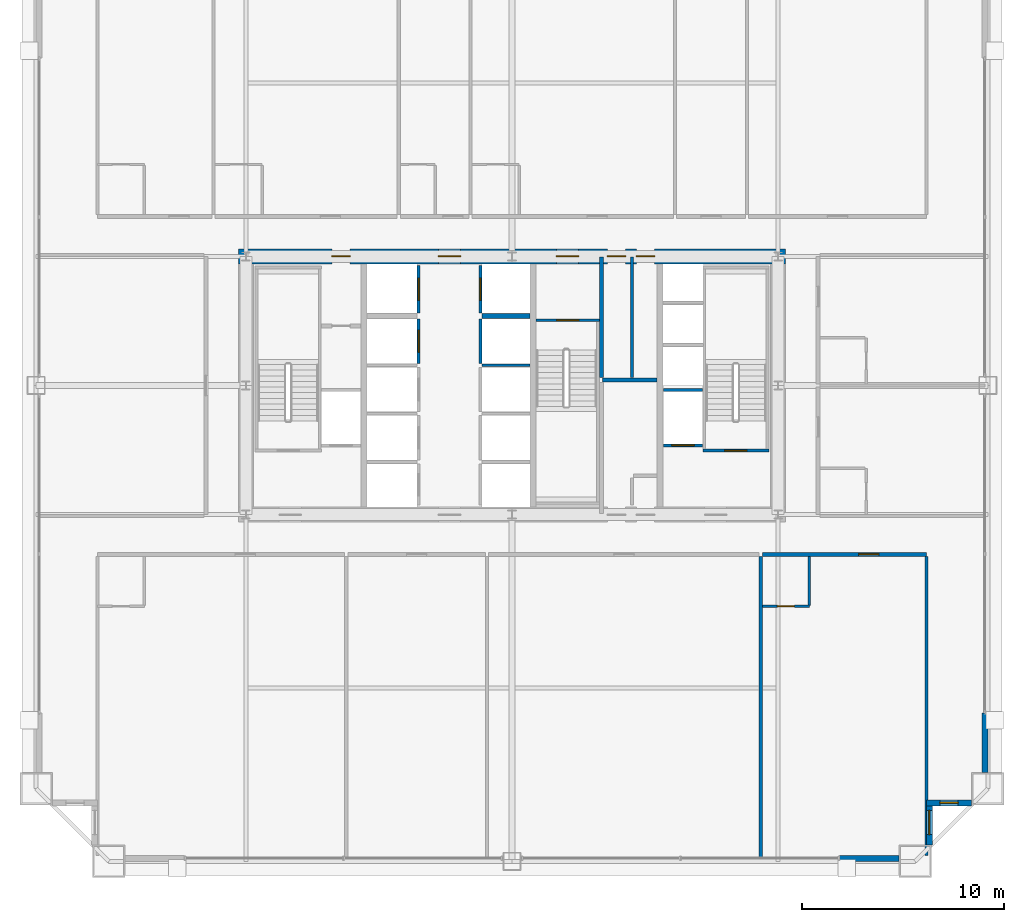
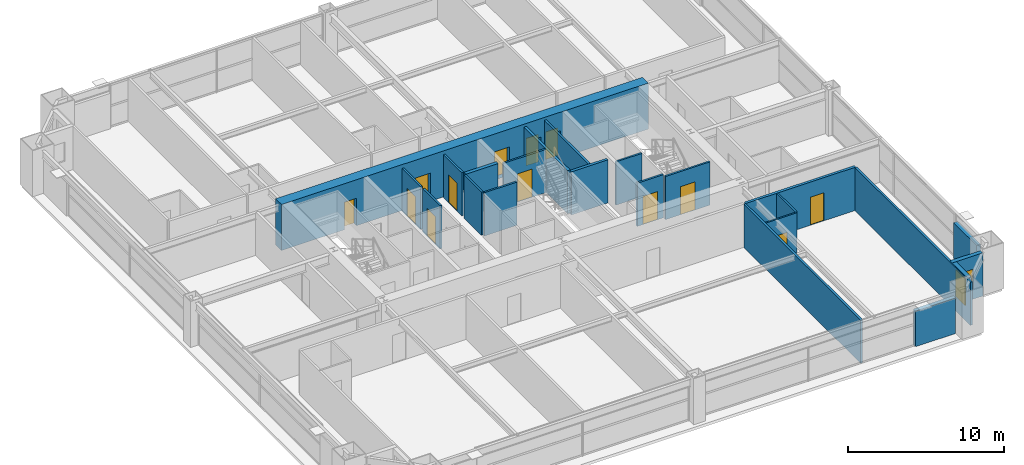
# One storey, part 35 of 38: 23 walls, 13 doors, 2 windows, 15 openings.
"""IFC4 building model written with IfcOpenShell, lengths in metres."""

from ifc_helpers import new_model, si_unit, direction, frame, frame_2d, origin, place, context, subcontext, project, spatial, rectangle, extrude, source, transform, mapped, material, layer, layer_set, type_object, element, fill, save


model = new_model("IFC4")

# Units and contexts
model_context = context("Model", 3, precision=1e-05, world=origin(), true_north=direction((0.0, 1.0)))
body_context = subcontext(model_context, "Body", "Model", "MODEL_VIEW")
ifc_project = project(units=[si_unit("LENGTHUNIT", "METRE"), si_unit("AREAUNIT", "SQUARE_METRE"), si_unit("VOLUMEUNIT", "CUBIC_METRE"), si_unit("PLANEANGLEUNIT", "RADIAN"), si_unit("MASSUNIT", "GRAM", prefix="KILO"), si_unit("THERMODYNAMICTEMPERATUREUNIT", "KELVIN"), si_unit("POWERUNIT", "WATT")], contexts=[model_context])

# Site, building, storey
site_placement = place(None, origin())
site = spatial("IfcSite", under=ifc_project, at=site_placement, CompositionType="ELEMENT")
building_placement = place(site_placement, origin())
building = spatial("IfcBuilding", under=site, at=building_placement, Name="Yuzanri Waterfront Tower", CompositionType="ELEMENT")
storey_placement = place(building_placement, frame((0.0, 0.0, 111.800048828125)))
storey = spatial("IfcBuildingStorey", under=building, at=storey_placement, Name="L29", CompositionType="ELEMENT", Elevation=111.800048828125)

# Wall, opening, door
ifc_material_1 = material(Name="Moisture-Resistant Gypsum Stud Wall", Category="gypsum")
ifc_layer_1 = layer(ifc_material_1, 0.1201171875)
ifc_layer_set_1 = layer_set([ifc_layer_1], Name="Moisture-Resistant Gypsum Stud Wall")
wall_type_1 = type_object("IfcWallType", Name="Bathroom and Kitchen Wet Partition 120", PredefinedType="PARTITIONING", material=ifc_layer_set_1)
wall_1_placement = place(storey_placement, frame((49.416015625, 14.840087890625, 0.0), z_axis=(0.0, 0.0, 1.0), x_axis=(1.0, 0.0, 0.0)))
wall_1 = element("IfcWall", 1, at=wall_1_placement, inside=storey, type_object=wall_type_1, Name="L29 Partition UW-L29-S4-BS", PredefinedType="PARTITIONING", context=body_context, shape_type="SweptSolid", body=[
    extrude(rectangle(XDim=2.330078125, YDim=0.1201171875, at=frame_2d((1.1650390625, 0.0))), origin(), (0.0, 0.0, 1.0), 3.3798828125),
])
opening_1_placement = place(wall_1_placement, frame((0.739990234375, 0.0, 0.0)))
opening_1 = element("IfcOpeningElement", 2, at=opening_1_placement, cuts=wall_1, Name="Opening ID-0850", PredefinedType="OPENING", context=body_context, shape_type="SweptSolid", body=[
    extrude(rectangle(XDim=0.85009765625, YDim=2.10009765625, at=frame_2d((0.425048828125, 1.050048828125))), frame((0.0, 0.074951171875, 0.0), z_axis=(0.0, -1.0, 0.0), x_axis=(1.0, 0.0, 0.0)), (0.0, 0.0, 1.0), 0.14990234375),
])
ifc_material_2 = material(Name="Moisture-Resistant Lacquered Timber", Category="wood")
door_type_1 = type_object("IfcDoorType", Name="En-Suite Bathroom and Kitchen Swing Door 850x2100", OperationType="NOTDEFINED", PredefinedType="DOOR", material=ifc_material_2)
shared_shape_1 = source(origin(), body_context, "Body", "SweptSolid", [
    extrude(rectangle(XDim=0.85009765625, YDim=2.10009765625, at=frame_2d((0.425048828125, 1.050048828125))), frame((0.0, 0.02490234375, 0.0), z_axis=(0.0, -1.0, 0.0), x_axis=(1.0, 0.0, 0.0)), (0.0, 0.0, 1.0), 0.050048828125),
])
door_1_placement = place(opening_1_placement, origin())
door_1 = element("IfcDoor", 3, at=door_1_placement, inside=storey, type_object=door_type_1, Name="L29 Guest En-Suite Door", OperationType="SINGLE_SWING_LEFT", OverallHeight=2.10009765625, OverallWidth=0.85009765625, PredefinedType="DOOR", context=body_context, shape_type="MappedRepresentation", body=[
    mapped(shared_shape_1, transform((0.0, 0.0, 0.0), scale=1.0)),
])
fill(opening_1, door_1)

# Wall, opening, window
ifc_material_3 = material(Name="Honed Chongqing Dark Basalt Stone", Category="masonry")
ifc_layer_2 = layer(ifc_material_3, 0.300048828125)
ifc_layer_set_2 = layer_set([ifc_layer_2], Name="Honed Chongqing Dark Basalt Stone")
wall_type_2 = type_object("IfcWallType", Name="Bronze Rainscreen Insulated Spandrel Portal Wall 300", PredefinedType="SOLIDWALL", material=ifc_layer_set_2)
wall_2_placement = place(storey_placement, frame((57.550048828125, 5.10009765625, 0.0), z_axis=(0.0, 0.0, 1.0), x_axis=(1.0, 0.0, 0.0)))
wall_2 = element("IfcWall", 4, at=wall_2_placement, inside=storey, type_object=wall_type_2, Name="L29 Notched Corner Masonry Wall SE-X", PredefinedType="SOLIDWALL", context=body_context, shape_type="SweptSolid", body=[
    extrude(rectangle(XDim=2.25, YDim=0.300048828125, at=frame_2d((1.125, 0.0))), origin(), (0.0, 0.0, 1.0), 3.3798828125),
])
opening_2_placement = place(wall_2_placement, frame((0.675048828125, 0.0, 0.85009765625)))
opening_2 = element("IfcOpeningElement", 5, at=opening_2_placement, cuts=wall_2, Name="Opening WN-05", PredefinedType="OPENING", context=body_context, shape_type="SweptSolid", body=[
    extrude(rectangle(XDim=0.89990234375, YDim=1.5, at=frame_2d((0.449951171875, 0.75))), frame((0.0, 0.1650390625, 0.0), z_axis=(0.0, -1.0, 0.0), x_axis=(1.0, 0.0, 0.0)), (0.0, 0.0, 1.0), 0.329833984375),
])
ifc_material_4 = material(Name="Double-Silver Low-E Insulated Glass", Category="glass")
window_type_1 = type_object("IfcWindowType", Name="Anodized Bronze Service and Stairwell Smoke-Vent Window 900x1500", PartitioningType="SINGLE_PANEL", PredefinedType="WINDOW", material=ifc_material_4)
shared_shape_2 = source(origin(), body_context, "Body", "SweptSolid", [
    extrude(rectangle(XDim=0.89990234375, YDim=1.5, at=frame_2d((0.449951171875, 0.75))), frame((0.0, 0.030029296875, 0.0), z_axis=(0.0, -1.0, 0.0), x_axis=(1.0, 0.0, 0.0)), (0.0, 0.0, 1.0), 0.06005859375),
])
window_1_placement = place(opening_2_placement, origin())
window_1 = element("IfcWindow", 6, at=window_1_placement, inside=storey, type_object=window_type_1, Name="L29 Notched Corner Window SE-X", OverallHeight=1.5, OverallWidth=0.89990234375, PartitioningType="SINGLE_PANEL", PredefinedType="WINDOW", context=body_context, shape_type="MappedRepresentation", body=[
    mapped(shared_shape_2, transform((0.0, 0.0, 0.0), scale=1.0)),
])
fill(opening_2, window_1)

wall_3_placement = place(storey_placement, frame((57.699951171875, 3.0, 0.0), z_axis=(0.0, 0.0, 1.0), x_axis=(0.0, 1.0, 0.0)))
wall_3 = element("IfcWall", 7, at=wall_3_placement, inside=storey, type_object=wall_type_2, Name="L29 Notched Corner Masonry Wall SE-Y", PredefinedType="SOLIDWALL", context=body_context, shape_type="SweptSolid", body=[
    extrude(rectangle(XDim=2.25, YDim=0.300048828125, at=frame_2d((1.125, 0.0))), origin(), (0.0, 0.0, 1.0), 3.3798828125),
])
opening_3_placement = place(wall_3_placement, frame((0.52490234375, 0.0, 0.85009765625)))
opening_3 = element("IfcOpeningElement", 8, at=opening_3_placement, cuts=wall_3, Name="Opening WN-02", PredefinedType="OPENING", context=body_context, shape_type="SweptSolid", body=[
    extrude(rectangle(XDim=1.199951171875, YDim=2.10009765625, at=frame_2d((0.60009765625, 1.050048828125))), frame((0.0, 0.1650390625, 0.0), z_axis=(0.0, -1.0, 0.0), x_axis=(1.0, 0.0, 0.0)), (0.0, 0.0, 1.0), 0.329833984375),
])
ifc_material_5 = material(Name="Double-Silver Low-E Insulated Glass", Category="glass")
window_type_2 = type_object("IfcWindowType", Name="Anodized Bronze Notched Corner Deep-Set Slot Window 1200x2100", PartitioningType="SINGLE_PANEL", PredefinedType="WINDOW", material=ifc_material_5)
shared_shape_3 = source(origin(), body_context, "Body", "SweptSolid", [
    extrude(rectangle(XDim=1.199951171875, YDim=2.10009765625, at=frame_2d((0.60009765625, 1.050048828125))), frame((0.0, 0.030029296875, 0.0), z_axis=(0.0, -1.0, 0.0), x_axis=(1.0, 0.0, 0.0)), (0.0, 0.0, 1.0), 0.06005859375),
])
window_2_placement = place(opening_3_placement, origin())
window_2 = element("IfcWindow", 9, at=window_2_placement, inside=storey, type_object=window_type_2, Name="L29 Notched Corner Window SE-Y", OverallHeight=2.10009765625, OverallWidth=1.199951171875, PartitioningType="SINGLE_PANEL", PredefinedType="WINDOW", context=body_context, shape_type="MappedRepresentation", body=[
    mapped(shared_shape_3, transform((0.0, 0.0, 0.0), scale=1.0)),
])
fill(opening_3, window_2)

# Wall, openings, doors
ifc_material_6 = material(Name="Concrete C55", Category="concrete")
ifc_layer_3 = layer(ifc_material_6, 0.75)
ifc_layer_set_3 = layer_set([ifc_layer_3], Name="Concrete C55")
wall_type_3 = type_object("IfcWallType", Name="Concrete C55 Low-Mid Zone Core Shear Wall 750", PredefinedType="SHEAR", material=ifc_layer_set_3)
wall_4_placement = place(storey_placement, frame((23.425048828125, 32.199951171875, 0.0), z_axis=(0.0, 0.0, 1.0), x_axis=(1.0, 0.0, 0.0)))
wall_4 = element("IfcWall", 10, at=wall_4_placement, inside=storey, type_object=wall_type_3, Name="L29 Core North Shear Wall", PredefinedType="SHEAR", context=body_context, shape_type="SweptSolid", body=[
    extrude(rectangle(XDim=27.14990234375, YDim=0.75, at=frame_2d((13.574951171875, 0.0))), origin(), (0.0, 0.0, 1.0), 3.599853515625),
])
opening_4_placement = place(wall_4_placement, frame((4.64501953125, 0.0, 0.0)))
opening_4 = element("IfcOpeningElement", 11, at=opening_4_placement, cuts=wall_4, Name="Opening FD-0900", PredefinedType="OPENING", context=body_context, shape_type="SweptSolid", body=[
    extrude(rectangle(XDim=0.89990234375, YDim=2.14990234375, at=frame_2d((0.449951171875, 1.074951171875))), frame((0.0, 0.389892578125, 0.0), z_axis=(0.0, -1.0, 0.0), x_axis=(1.0, 0.0, 0.0)), (0.0, 0.0, 1.0), 0.77978515625),
])
opening_5_placement = place(wall_4_placement, frame((9.925048828125, 0.0, 0.0)))
opening_5 = element("IfcOpeningElement", 12, at=opening_5_placement, cuts=wall_4, Name="Opening FD-1100", PredefinedType="OPENING", context=body_context, shape_type="SweptSolid", body=[
    extrude(rectangle(XDim=1.10009765625, YDim=2.199951171875, at=frame_2d((0.550048828125, 1.10009765625))), frame((0.0, 0.389892578125, 0.0), z_axis=(0.0, -1.0, 0.0), x_axis=(1.0, 0.0, 0.0)), (0.0, 0.0, 1.0), 0.77978515625),
])
opening_6_placement = place(wall_4_placement, frame((15.77490234375, 0.0, 0.0)))
opening_6 = element("IfcOpeningElement", 13, at=opening_6_placement, cuts=wall_4, Name="Opening FD-1100", PredefinedType="OPENING", context=body_context, shape_type="SweptSolid", body=[
    extrude(rectangle(XDim=1.10009765625, YDim=2.199951171875, at=frame_2d((0.550048828125, 1.10009765625))), frame((0.0, 0.389892578125, 0.0), z_axis=(0.0, -1.0, 0.0), x_axis=(1.0, 0.0, 0.0)), (0.0, 0.0, 1.0), 0.77978515625),
])
opening_7_placement = place(wall_4_placement, frame((18.304931640625, 0.0, 0.0)))
opening_7 = element("IfcOpeningElement", 14, at=opening_7_placement, cuts=wall_4, Name="Opening FD-0900", PredefinedType="OPENING", context=body_context, shape_type="SweptSolid", body=[
    extrude(rectangle(XDim=0.89990234375, YDim=2.14990234375, at=frame_2d((0.449951171875, 1.074951171875))), frame((0.0, 0.389892578125, 0.0), z_axis=(0.0, -1.0, 0.0), x_axis=(1.0, 0.0, 0.0)), (0.0, 0.0, 1.0), 0.77978515625),
])
opening_8_placement = place(wall_4_placement, frame((19.7451171875, 0.0, 0.0)))
opening_8 = element("IfcOpeningElement", 15, at=opening_8_placement, cuts=wall_4, Name="Opening FD-0900", PredefinedType="OPENING", context=body_context, shape_type="SweptSolid", body=[
    extrude(rectangle(XDim=0.89990234375, YDim=2.14990234375, at=frame_2d((0.449951171875, 1.074951171875))), frame((0.0, 0.389892578125, 0.0), z_axis=(0.0, -1.0, 0.0), x_axis=(1.0, 0.0, 0.0)), (0.0, 0.0, 1.0), 0.77978515625),
])
ifc_material_7 = material(Name="Painted Galvanized Fire Steel", Category="steel")
door_type_2 = type_object("IfcDoorType", Name="Smoke-Proof Stair and Lobby Fire Door 1100x2200", OperationType="NOTDEFINED", PredefinedType="DOOR", material=ifc_material_7)
shared_shape_4 = source(origin(), body_context, "Body", "SweptSolid", [
    extrude(rectangle(XDim=1.10009765625, YDim=2.199951171875, at=frame_2d((0.550048828125, 1.10009765625))), frame((0.0, 0.02490234375, 0.0), z_axis=(0.0, -1.0, 0.0), x_axis=(1.0, 0.0, 0.0)), (0.0, 0.0, 1.0), 0.050048828125),
])
door_2_placement = place(opening_5_placement, origin())
door_2 = element("IfcDoor", 16, at=door_2_placement, inside=storey, type_object=door_type_2, Name="L29 Central Lift Lobby North Door", OperationType="SINGLE_SWING_LEFT", OverallHeight=2.199951171875, OverallWidth=1.10009765625, PredefinedType="DOOR", context=body_context, shape_type="MappedRepresentation", body=[
    mapped(shared_shape_4, transform((0.0, 0.0, 0.0), scale=1.0)),
])
fill(opening_5, door_2)
door_3_placement = place(opening_6_placement, origin())
door_3 = element("IfcDoor", 17, at=door_3_placement, inside=storey, type_object=door_type_2, Name="L29 North Stair Lobby Door", OperationType="SINGLE_SWING_RIGHT", OverallHeight=2.199951171875, OverallWidth=1.10009765625, PredefinedType="DOOR", context=body_context, shape_type="MappedRepresentation", body=[
    mapped(shared_shape_4, transform((0.0, 0.0, 0.0), scale=1.0)),
])
fill(opening_6, door_3)
ifc_material_8 = material(Name="Painted Galvanized Fire Steel", Category="steel")
door_type_3 = type_object("IfcDoorType", Name="Riser and Service Room Fire Door 900x2150", OperationType="NOTDEFINED", PredefinedType="DOOR", material=ifc_material_8)
shared_shape_5 = source(origin(), body_context, "Body", "SweptSolid", [
    extrude(rectangle(XDim=0.89990234375, YDim=2.14990234375, at=frame_2d((0.449951171875, 1.074951171875))), frame((0.0, 0.02490234375, 0.0), z_axis=(0.0, -1.0, 0.0), x_axis=(1.0, 0.0, 0.0)), (0.0, 0.0, 1.0), 0.050048828125),
])
door_4_placement = place(opening_4_placement, origin())
door_4 = element("IfcDoor", 18, at=door_4_placement, inside=storey, type_object=door_type_3, Name="L29 Telecom Riser Door", OperationType="SINGLE_SWING_RIGHT", OverallHeight=2.14990234375, OverallWidth=0.89990234375, PredefinedType="DOOR", context=body_context, shape_type="MappedRepresentation", body=[
    mapped(shared_shape_5, transform((0.0, 0.0, 0.0), scale=1.0)),
])
fill(opening_4, door_4)
door_5_placement = place(opening_7_placement, origin())
door_5 = element("IfcDoor", 19, at=door_5_placement, inside=storey, type_object=door_type_3, Name="L29 Common Store Room", OperationType="SINGLE_SWING_RIGHT", OverallHeight=2.14990234375, OverallWidth=0.89990234375, PredefinedType="DOOR", context=body_context, shape_type="MappedRepresentation", body=[
    mapped(shared_shape_5, transform((0.0, 0.0, 0.0), scale=1.0)),
])
fill(opening_7, door_5)
door_6_placement = place(opening_8_placement, origin())
door_6 = element("IfcDoor", 20, at=door_6_placement, inside=storey, type_object=door_type_3, Name="L29 Linen Store Room", OperationType="SINGLE_SWING_LEFT", OverallHeight=2.14990234375, OverallWidth=0.89990234375, PredefinedType="DOOR", context=body_context, shape_type="MappedRepresentation", body=[
    mapped(shared_shape_5, transform((0.0, 0.0, 0.0), scale=1.0)),
])
fill(opening_8, door_6)

# Wall, opening, door
ifc_material_9 = material(Name="Concrete C40", Category="concrete")
ifc_layer_4 = layer(ifc_material_9, 0.139892578125)
ifc_layer_set_4 = layer_set([ifc_layer_4], Name="Concrete C40")
wall_type_4 = type_object("IfcWallType", Name="Core Stair Liner and Hoistway Shaft Wall 140", PredefinedType="SOLIDWALL", material=ifc_layer_set_4)
wall_5_placement = place(storey_placement, frame((44.52001953125, 22.830078125, 0.0), z_axis=(0.0, 0.0, 1.0), x_axis=(1.0, 0.0, 0.0)))
wall_5 = element("IfcWall", 21, at=wall_5_placement, inside=storey, type_object=wall_type_4, Name="L29 Lift FL-02 Front Shaft Wall", PredefinedType="SOLIDWALL", context=body_context, shape_type="SweptSolid", body=[
    extrude(rectangle(XDim=1.919921875, YDim=0.139892578125, at=frame_2d((0.9599609375, 0.0))), origin(), (0.0, 0.0, 1.0), 3.3798828125),
])
opening_9_placement = place(wall_5_placement, frame((0.409912109375, 0.0, 0.0)))
opening_9 = element("IfcOpeningElement", 22, at=opening_9_placement, cuts=wall_5, Name="Opening LD-FL-02", PredefinedType="OPENING", context=body_context, shape_type="SweptSolid", body=[
    extrude(rectangle(XDim=1.10009765625, YDim=2.199951171875, at=frame_2d((0.550048828125, 1.10009765625))), frame((0.0, 0.0849609375, 0.0), z_axis=(0.0, -1.0, 0.0), x_axis=(1.0, 0.0, 0.0)), (0.0, 0.0, 1.0), 0.169677734375),
])
ifc_material_10 = material(Name="Brushed Bronze and Stainless Steel Cab", Category="steel")
door_type_4 = type_object("IfcDoorType", Name="Center-Parting Bronze Lift Landing Sliding Door 1100x2200", OperationType="NOTDEFINED", PredefinedType="DOOR", material=ifc_material_10)
shared_shape_6 = source(origin(), body_context, "Body", "SweptSolid", [
    extrude(rectangle(XDim=1.10009765625, YDim=2.199951171875, at=frame_2d((0.550048828125, 1.10009765625))), frame((0.0, 0.02490234375, 0.0), z_axis=(0.0, -1.0, 0.0), x_axis=(1.0, 0.0, 0.0)), (0.0, 0.0, 1.0), 0.050048828125),
])
door_7_placement = place(opening_9_placement, origin())
door_7 = element("IfcDoor", 23, at=door_7_placement, inside=storey, type_object=door_type_4, Name="L29 FL-02 Lift Landing Sliding Door", OperationType="SLIDING_TO_RIGHT", OverallHeight=2.199951171875, OverallWidth=1.10009765625, PredefinedType="DOOR", context=body_context, shape_type="MappedRepresentation", body=[
    mapped(shared_shape_6, transform((0.0, 0.0, 0.0), scale=1.0)),
])
fill(opening_9, door_7)

wall_6_placement = place(storey_placement, frame((32.3701171875, 26.89990234375, 0.0), z_axis=(0.0, 0.0, 1.0), x_axis=(0.0, 1.0, 0.0)))
wall_6 = element("IfcWall", 24, at=wall_6_placement, inside=storey, type_object=wall_type_4, Name="L29 Lift PL-04 Front Shaft Wall", PredefinedType="SOLIDWALL", context=body_context, shape_type="SweptSolid", body=[
    extrude(rectangle(XDim=2.2001953125, YDim=0.139892578125, at=frame_2d((1.10009765625, 0.0))), origin(), (0.0, 0.0, 1.0), 3.3798828125),
])
opening_10_placement = place(wall_6_placement, frame((0.550048828125, 0.0, 0.0)))
opening_10 = element("IfcOpeningElement", 25, at=opening_10_placement, cuts=wall_6, Name="Opening LD-PL-04", PredefinedType="OPENING", context=body_context, shape_type="SweptSolid", body=[
    extrude(rectangle(XDim=1.10009765625, YDim=2.199951171875, at=frame_2d((0.550048828125, 1.10009765625))), frame((0.0, 0.0849609375, 0.0), z_axis=(0.0, -1.0, 0.0), x_axis=(1.0, 0.0, 0.0)), (0.0, 0.0, 1.0), 0.169677734375),
])
door_8_placement = place(opening_10_placement, origin())
door_8 = element("IfcDoor", 26, at=door_8_placement, inside=storey, type_object=door_type_4, Name="L29 PL-04 Lift Landing Sliding Door", OperationType="SLIDING_TO_RIGHT", OverallHeight=2.199951171875, OverallWidth=1.10009765625, PredefinedType="DOOR", context=body_context, shape_type="MappedRepresentation", body=[
    mapped(shared_shape_6, transform((0.0, 0.0, 0.0), scale=1.0)),
])
fill(opening_10, door_8)

wall_7_placement = place(storey_placement, frame((32.3701171875, 29.39990234375, 0.0), z_axis=(0.0, 0.0, 1.0), x_axis=(0.0, 1.0, 0.0)))
wall_7 = element("IfcWall", 27, at=wall_7_placement, inside=storey, type_object=wall_type_4, Name="L29 Lift SL-01 Front Shaft Wall", PredefinedType="SOLIDWALL", context=body_context, shape_type="SweptSolid", body=[
    extrude(rectangle(XDim=2.340087890625, YDim=0.139892578125, at=frame_2d((1.169921875, 0.0))), origin(), (0.0, 0.0, 1.0), 3.3798828125),
])
opening_11_placement = place(wall_7_placement, frame((0.6201171875, 0.0, 0.0)))
opening_11 = element("IfcOpeningElement", 28, at=opening_11_placement, cuts=wall_7, Name="Opening LD-SL-01", PredefinedType="OPENING", context=body_context, shape_type="SweptSolid", body=[
    extrude(rectangle(XDim=1.10009765625, YDim=2.199951171875, at=frame_2d((0.550048828125, 1.10009765625))), frame((0.0, 0.0849609375, 0.0), z_axis=(0.0, -1.0, 0.0), x_axis=(1.0, 0.0, 0.0)), (0.0, 0.0, 1.0), 0.169677734375),
])
door_9_placement = place(opening_11_placement, origin())
door_9 = element("IfcDoor", 29, at=door_9_placement, inside=storey, type_object=door_type_4, Name="L29 SL-01 Lift Landing Sliding Door", OperationType="SLIDING_TO_LEFT", OverallHeight=2.199951171875, OverallWidth=1.10009765625, PredefinedType="DOOR", context=body_context, shape_type="MappedRepresentation", body=[
    mapped(shared_shape_6, transform((0.0, 0.0, 0.0), scale=1.0)),
])
fill(opening_11, door_9)

wall_8_placement = place(storey_placement, frame((35.429931640625, 29.39990234375, 0.0), z_axis=(0.0, 0.0, 1.0), x_axis=(0.0, 1.0, 0.0)))
wall_8 = element("IfcWall", 30, at=wall_8_placement, inside=storey, type_object=wall_type_4, Name="L29 Lift SL-02 Front Shaft Wall", PredefinedType="SOLIDWALL", context=body_context, shape_type="SweptSolid", body=[
    extrude(rectangle(XDim=2.340087890625, YDim=0.139892578125, at=frame_2d((1.169921875, 0.0))), origin(), (0.0, 0.0, 1.0), 3.3798828125),
])
opening_12_placement = place(wall_8_placement, frame((0.6201171875, 0.0, 0.0)))
opening_12 = element("IfcOpeningElement", 31, at=opening_12_placement, cuts=wall_8, Name="Opening LD-SL-02", PredefinedType="OPENING", context=body_context, shape_type="SweptSolid", body=[
    extrude(rectangle(XDim=1.10009765625, YDim=2.199951171875, at=frame_2d((0.550048828125, 1.10009765625))), frame((0.0, 0.0849609375, 0.0), z_axis=(0.0, -1.0, 0.0), x_axis=(1.0, 0.0, 0.0)), (0.0, 0.0, 1.0), 0.169677734375),
])
door_10_placement = place(opening_12_placement, origin())
door_10 = element("IfcDoor", 32, at=door_10_placement, inside=storey, type_object=door_type_4, Name="L29 SL-02 Lift Landing Sliding Door", OperationType="SLIDING_TO_RIGHT", OverallHeight=2.199951171875, OverallWidth=1.10009765625, PredefinedType="DOOR", context=body_context, shape_type="MappedRepresentation", body=[
    mapped(shared_shape_6, transform((0.0, 0.0, 0.0), scale=1.0)),
])
fill(opening_12, door_10)

wall_9_placement = place(storey_placement, frame((46.4599609375, 22.570068359375, 0.0), z_axis=(0.0, 0.0, 1.0), x_axis=(1.0, 0.0, 0.0)))
wall_9 = element("IfcWall", 33, at=wall_9_placement, inside=storey, type_object=wall_type_4, Name="L29 Shaft Wall STW-L29-ST-02-S", PredefinedType="SOLIDWALL", context=body_context, shape_type="SweptSolid", body=[
    extrude(rectangle(XDim=3.280029296875, YDim=0.139892578125, at=frame_2d((1.64013671875, 0.0))), origin(), (0.0, 0.0, 1.0), 3.3798828125),
])
opening_13_placement = place(wall_9_placement, frame((1.090087890625, 0.0, 0.0)))
opening_13 = element("IfcOpeningElement", 34, at=opening_13_placement, cuts=wall_9, Name="Opening FD-1100", PredefinedType="OPENING", context=body_context, shape_type="SweptSolid", body=[
    extrude(rectangle(XDim=1.10009765625, YDim=2.199951171875, at=frame_2d((0.550048828125, 1.10009765625))), frame((0.0, 0.0849609375, 0.0), z_axis=(0.0, -1.0, 0.0), x_axis=(1.0, 0.0, 0.0)), (0.0, 0.0, 1.0), 0.169677734375),
])
door_11_placement = place(opening_13_placement, origin())
door_11 = element("IfcDoor", 35, at=door_11_placement, inside=storey, type_object=door_type_2, Name="L29 Stair ST-02 Fire Door", OperationType="SINGLE_SWING_LEFT", OverallHeight=2.199951171875, OverallWidth=1.10009765625, PredefinedType="DOOR", context=body_context, shape_type="MappedRepresentation", body=[
    mapped(shared_shape_4, transform((0.0, 0.0, 0.0), scale=1.0)),
])
fill(opening_13, door_11)

wall_10_placement = place(storey_placement, frame((38.199951171875, 29.030029296875, 0.0), z_axis=(0.0, 0.0, 1.0), x_axis=(1.0, 0.0, 0.0)))
wall_10 = element("IfcWall", 36, at=wall_10_placement, inside=storey, type_object=wall_type_4, Name="L29 Shaft Wall STW-L29-ST-03-N", PredefinedType="SOLIDWALL", context=body_context, shape_type="SweptSolid", body=[
    extrude(rectangle(XDim=3.14013671875, YDim=0.139892578125, at=frame_2d((1.570068359375, 0.0))), origin(), (0.0, 0.0, 1.0), 3.3798828125),
])
opening_14_placement = place(wall_10_placement, frame((1.02001953125, 0.0, 0.0)))
opening_14 = element("IfcOpeningElement", 37, at=opening_14_placement, cuts=wall_10, Name="Opening FD-1100", PredefinedType="OPENING", context=body_context, shape_type="SweptSolid", body=[
    extrude(rectangle(XDim=1.10009765625, YDim=2.199951171875, at=frame_2d((0.550048828125, 1.10009765625))), frame((0.0, 0.0849609375, 0.0), z_axis=(0.0, -1.0, 0.0), x_axis=(1.0, 0.0, 0.0)), (0.0, 0.0, 1.0), 0.169677734375),
])
door_12_placement = place(opening_14_placement, origin())
door_12 = element("IfcDoor", 38, at=door_12_placement, inside=storey, type_object=door_type_2, Name="L29 Stair ST-03 Fire Door", OperationType="SINGLE_SWING_RIGHT", OverallHeight=2.199951171875, OverallWidth=1.10009765625, PredefinedType="DOOR", context=body_context, shape_type="MappedRepresentation", body=[
    mapped(shared_shape_4, transform((0.0, 0.0, 0.0), scale=1.0)),
])
fill(opening_14, door_12)

ifc_material_11 = material(Name="Autoclaved Aerated Concrete Blockwork", Category="masonry")
ifc_layer_5 = layer(ifc_material_11, 0.199951171875)
ifc_layer_set_5 = layer_set([ifc_layer_5], Name="Autoclaved Aerated Concrete Blockwork")
wall_type_5 = type_object("IfcWallType", Name="Corridor and Unit Party Fire Wall 200", PredefinedType="PARTITIONING", material=ifc_layer_set_5)
wall_11_placement = place(storey_placement, frame((49.416015625, 17.419921875, 0.0), z_axis=(0.0, 0.0, 1.0), x_axis=(1.0, 0.0, 0.0)))
wall_11 = element("IfcWall", 39, at=wall_11_placement, inside=storey, type_object=wall_type_5, Name="L29 Partition UW-L29-S4-CN", PredefinedType="PARTITIONING", context=body_context, shape_type="SweptSolid", body=[
    extrude(rectangle(XDim=8.14404296875, YDim=0.199951171875, at=frame_2d((4.072021484375, 0.0))), origin(), (0.0, 0.0, 1.0), 3.3798828125),
])
opening_15_placement = place(wall_11_placement, frame((4.777099609375, 0.0, 0.0)))
opening_15 = element("IfcOpeningElement", 40, at=opening_15_placement, cuts=wall_11, Name="Opening FD-1000", PredefinedType="OPENING", context=body_context, shape_type="SweptSolid", body=[
    extrude(rectangle(XDim=1.0, YDim=2.199951171875, at=frame_2d((0.5, 1.10009765625))), frame((0.0, 0.11474609375, 0.0), z_axis=(0.0, -1.0, 0.0), x_axis=(1.0, 0.0, 0.0)), (0.0, 0.0, 1.0), 0.229736328125),
])
ifc_material_12 = material(Name="Engineered Oak Fire-Rated Timber", Category="wood")
door_type_5 = type_object("IfcDoorType", Name="Guestroom and Apartment Entrance Fire Door 1000x2200", OperationType="NOTDEFINED", PredefinedType="DOOR", material=ifc_material_12)
shared_shape_7 = source(origin(), body_context, "Body", "SweptSolid", [
    extrude(rectangle(XDim=1.0, YDim=2.199951171875, at=frame_2d((0.5, 1.10009765625))), frame((0.0, 0.02490234375, 0.0), z_axis=(0.0, -1.0, 0.0), x_axis=(1.0, 0.0, 0.0)), (0.0, 0.0, 1.0), 0.050048828125),
])
door_13_placement = place(opening_15_placement, origin())
door_13 = element("IfcDoor", 41, at=door_13_placement, inside=storey, type_object=door_type_5, Name="L29 Grand Riverview Suite Entrance Door", OperationType="SINGLE_SWING_RIGHT", OverallHeight=2.199951171875, OverallWidth=1.0, PredefinedType="DOOR", context=body_context, shape_type="MappedRepresentation", body=[
    mapped(shared_shape_7, transform((0.0, 0.0, 0.0), scale=1.0)),
])
fill(opening_15, door_13)

# Walls
shared_shape_8 = source(origin(), body_context, "Body", "SweptSolid", [
    extrude(rectangle(XDim=2.949951171875, YDim=0.300048828125, at=frame_2d((1.47509765625, 0.0))), origin(), (0.0, 0.0, 1.0), 2.77490234375),
])
for number, where, z_axis, x_axis, name in (
    (42, (53.25, 2.35009765625, 0.0), (0.0, 0.0, 1.0), (1.0, 0.0, 0.0), "L29 S Right Braced Masonry Shoulder"),
    (43, (60.449951171875, 6.60009765625, 0.0), (0.0, 0.0, 1.0), (0.0, 1.0, 0.0), "L29 E Left Braced Masonry Shoulder"),
):
    element("IfcWall", number, at=place(storey_placement, frame(where, z_axis=z_axis, x_axis=x_axis)), inside=storey, type_object=wall_type_2, Name=name, PredefinedType="SOLIDWALL", context=body_context, shape_type="MappedRepresentation", body=[
        mapped(shared_shape_8, transform((0.0, 0.0, 0.0), scale=1.0)),
    ])
shared_shape_9 = source(origin(), body_context, "Body", "SweptSolid", [
    extrude(rectangle(XDim=1.919921875, YDim=0.139892578125, at=frame_2d((0.9599609375, 0.0))), origin(), (0.0, 0.0, 1.0), 3.3798828125),
])
wall_12_placement = place(storey_placement, frame((44.52001953125, 25.570068359375, 0.0), z_axis=(0.0, 0.0, 1.0), x_axis=(1.0, 0.0, 0.0)))
element("IfcWall", 44, at=wall_12_placement, inside=storey, type_object=wall_type_4, Name="L29 Lift FL-02 Back Shaft Wall", PredefinedType="SOLIDWALL", context=body_context, shape_type="MappedRepresentation", body=[
    mapped(shared_shape_9, transform((0.0, 0.0, 0.0), scale=1.0)),
])
shared_shape_10 = source(origin(), body_context, "Body", "SweptSolid", [
    extrude(rectangle(XDim=2.39990234375, YDim=0.139892578125, at=frame_2d((1.199951171875, 0.0))), origin(), (0.0, 0.0, 1.0), 3.3798828125),
])
wall_13_placement = place(storey_placement, frame((35.5, 26.800048828125, 0.0), z_axis=(0.0, 0.0, 1.0), x_axis=(1.0, 0.0, 0.0)))
element("IfcWall", 45, at=wall_13_placement, inside=storey, type_object=wall_type_4, Name="L29 Lift PL-07 Divider Wall", PredefinedType="SOLIDWALL", context=body_context, shape_type="MappedRepresentation", body=[
    mapped(shared_shape_10, transform((0.0, 0.0, 0.0), scale=1.0)),
])
shared_shape_11 = source(origin(), body_context, "Body", "SweptSolid", [
    extrude(rectangle(XDim=2.2001953125, YDim=0.139892578125, at=frame_2d((1.10009765625, 0.0))), origin(), (0.0, 0.0, 1.0), 3.3798828125),
])
wall_14_placement = place(storey_placement, frame((35.429931640625, 26.89990234375, 0.0), z_axis=(0.0, 0.0, 1.0), x_axis=(0.0, 1.0, 0.0)))
element("IfcWall", 46, at=wall_14_placement, inside=storey, type_object=wall_type_4, Name="L29 Lift PL-08 Front Shaft Wall", PredefinedType="SOLIDWALL", context=body_context, shape_type="MappedRepresentation", body=[
    mapped(shared_shape_11, transform((0.0, 0.0, 0.0), scale=1.0)),
])
ifc_material_13 = material(Name="Concrete C40", Category="concrete")
ifc_layer_6 = layer(ifc_material_13, 0.25)
ifc_layer_set_6 = layer_set([ifc_layer_6], Name="Concrete C40")
wall_type_6 = type_object("IfcWallType", Name="Smoke-Proof Stair and Lift Shaft Wall 250", PredefinedType="SOLIDWALL", material=ifc_layer_set_6)
shared_shape_12 = source(origin(), body_context, "Body", "SweptSolid", [
    extrude(rectangle(XDim=2.39990234375, YDim=0.25, at=frame_2d((1.199951171875, 0.0))), origin(), (0.0, 0.0, 1.0), 3.3798828125),
])
wall_15_placement = place(storey_placement, frame((35.5, 29.25, 0.0), z_axis=(0.0, 0.0, 1.0), x_axis=(1.0, 0.0, 0.0)))
element("IfcWall", 47, at=wall_15_placement, inside=storey, type_object=wall_type_6, Name="L29 Lift SL-02 South Shaft Wall", PredefinedType="SOLIDWALL", context=body_context, shape_type="MappedRepresentation", body=[
    mapped(shared_shape_12, transform((0.0, 0.0, 0.0), scale=1.0)),
])
shared_shape_13 = source(origin(), body_context, "Body", "SweptSolid", [
    extrude(rectangle(XDim=2.420166015625, YDim=0.1201171875, at=frame_2d((1.2099609375, 0.0))), origin(), (0.0, 0.0, 1.0), 3.3798828125),
])
wall_16_placement = place(storey_placement, frame((51.74609375, 14.89990234375, 0.0), z_axis=(0.0, 0.0, 1.0), x_axis=(0.0, 1.0, 0.0)))
element("IfcWall", 48, at=wall_16_placement, inside=storey, type_object=wall_type_1, Name="L29-S4 En-Suite Side Wall", PredefinedType="PARTITIONING", context=body_context, shape_type="MappedRepresentation", body=[
    mapped(shared_shape_13, transform((0.0, 0.0, 0.0), scale=1.0)),
])
shared_shape_14 = source(origin(), body_context, "Body", "SweptSolid", [
    extrude(rectangle(XDim=2.699951171875, YDim=0.199951171875, at=frame_2d((1.35009765625, 0.0))), origin(), (0.0, 0.0, 1.0), 3.3798828125),
])
wall_17_placement = place(storey_placement, frame((41.5, 26.070068359375, 0.0), z_axis=(0.0, 0.0, 1.0), x_axis=(1.0, 0.0, 0.0)))
element("IfcWall", 49, at=wall_17_placement, inside=storey, type_object=wall_type_5, Name="L29 Core BOH Split Wall 1", PredefinedType="PARTITIONING", context=body_context, shape_type="MappedRepresentation", body=[
    mapped(shared_shape_14, transform((0.0, 0.0, 0.0), scale=1.0)),
])
shared_shape_15 = source(origin(), body_context, "Body", "SweptSolid", [
    extrude(rectangle(XDim=5.9599609375, YDim=0.199951171875, at=frame_2d((2.97998046875, 0.0))), origin(), (0.0, 0.0, 1.0), 3.3798828125),
])
wall_18_placement = place(storey_placement, frame((41.449951171875, 26.199951171875, 0.0), z_axis=(0.0, 0.0, 1.0), x_axis=(0.0, 1.0, 0.0)))
element("IfcWall", 50, at=wall_18_placement, inside=storey, type_object=wall_type_5, Name="L29 Core BOH West Wall 2", PredefinedType="PARTITIONING", context=body_context, shape_type="MappedRepresentation", body=[
    mapped(shared_shape_15, transform((0.0, 0.0, 0.0), scale=1.0)),
])
ifc_material_14 = material(Name="Gypsum Fireboard Acoustic Stud Wall", Category="gypsum")
ifc_layer_7 = layer(ifc_material_14, 0.159912109375)
ifc_layer_set_7 = layer_set([ifc_layer_7], Name="Gypsum Fireboard Acoustic Stud Wall")
wall_type_7 = type_object("IfcWallType", Name="Acoustic Suite Demising Partition 160", PredefinedType="PARTITIONING", material=ifc_layer_set_7)
shared_shape_16 = source(origin(), body_context, "Body", "SweptSolid", [
    extrude(rectangle(XDim=5.9599609375, YDim=0.159912109375, at=frame_2d((2.97998046875, 0.0))), origin(), (0.0, 0.0, 1.0), 3.3798828125),
])
wall_19_placement = place(storey_placement, frame((42.949951171875, 26.199951171875, 0.0), z_axis=(0.0, 0.0, 1.0), x_axis=(0.0, 1.0, 0.0)))
element("IfcWall", 51, at=wall_19_placement, inside=storey, type_object=wall_type_7, Name="L29 Core BOH Mid Wall 3", PredefinedType="PARTITIONING", context=body_context, shape_type="MappedRepresentation", body=[
    mapped(shared_shape_16, transform((0.0, 0.0, 0.0), scale=1.0)),
])
shared_shape_17 = source(origin(), body_context, "Body", "SweptSolid", [
    extrude(rectangle(XDim=14.969970703125, YDim=0.159912109375, at=frame_2d((7.48486328125, 0.0))), origin(), (0.0, 0.0, 1.0), 3.3798828125),
])
wall_20_placement = place(storey_placement, frame((49.3359375, 2.35009765625, 0.0), z_axis=(0.0, 0.0, 1.0), x_axis=(0.0, 1.0, 0.0)))
element("IfcWall", 52, at=wall_20_placement, inside=storey, type_object=wall_type_7, Name="L29-S3 Party Wall", PredefinedType="PARTITIONING", context=body_context, shape_type="MappedRepresentation", body=[
    mapped(shared_shape_17, transform((0.0, 0.0, 0.0), scale=1.0)),
])
shared_shape_18 = source(origin(), body_context, "Body", "SweptSolid", [
    extrude(rectangle(XDim=14.820068359375, YDim=0.159912109375, at=frame_2d((7.41015625, 0.0))), origin(), (0.0, 0.0, 1.0), 3.3798828125),
])
wall_21_placement = place(storey_placement, frame((57.550048828125, 2.5, 0.0), z_axis=(0.0, 0.0, 1.0), x_axis=(0.0, 1.0, 0.0)))
element("IfcWall", 53, at=wall_21_placement, inside=storey, type_object=wall_type_7, Name="L29 South Band East End Wall", PredefinedType="PARTITIONING", context=body_context, shape_type="MappedRepresentation", body=[
    mapped(shared_shape_18, transform((0.0, 0.0, 0.0), scale=1.0)),
])

save(model, "model.ifc")
